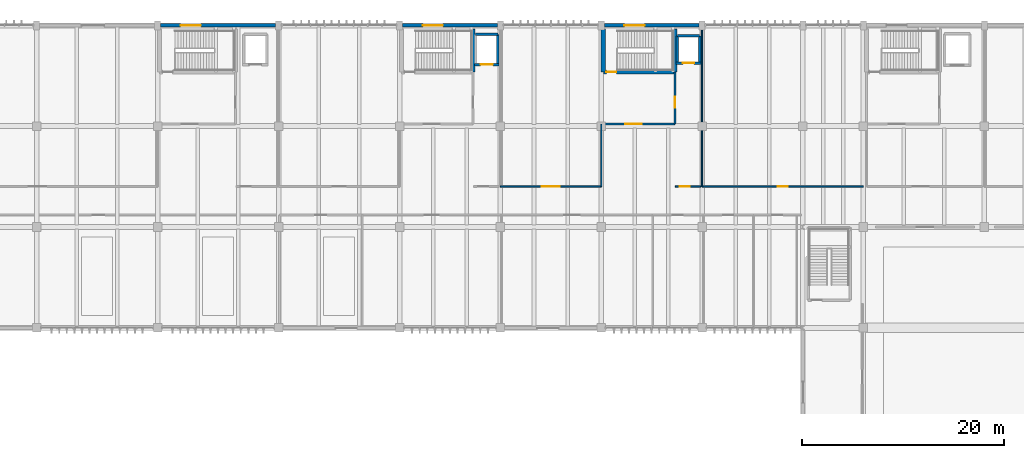
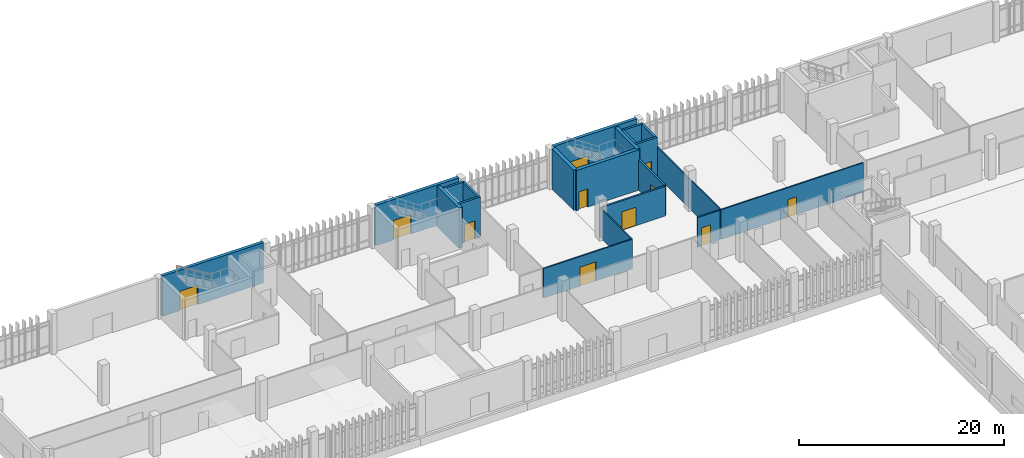
# One storey, part 75 of 87: 21 walls, 11 doors, 11 openings.
"""IFC4 building model written with IfcOpenShell, lengths in metres."""

from ifc_helpers import new_model, si_unit, direction, frame, frame_2d, origin, place, context, subcontext, project, spatial, rectangle, extrude, material, layer, layer_set, type_object, element, fill, save


model = new_model("IFC4")

# Units and contexts
model_context = context("Model", 3, precision=1e-05, world=origin(), true_north=direction((0.0, 1.0)))
body_context = subcontext(model_context, "Body", "Model", "MODEL_VIEW")
ifc_project = project(units=[si_unit("LENGTHUNIT", "METRE"), si_unit("AREAUNIT", "SQUARE_METRE"), si_unit("VOLUMEUNIT", "CUBIC_METRE"), si_unit("PLANEANGLEUNIT", "RADIAN"), si_unit("MASSUNIT", "GRAM", prefix="KILO")], contexts=[model_context])

# Site, building, storey
site_placement = place(None, origin())
site = spatial("IfcSite", under=ifc_project, at=site_placement, CompositionType="ELEMENT")
building_placement = place(site_placement, origin())
building = spatial("IfcBuilding", under=site, at=building_placement, Name="Mersad Railyard Sports Hall", CompositionType="ELEMENT")
storey_placement = place(building_placement, origin())
storey = spatial("IfcBuildingStorey", under=building, at=storey_placement, Name="L00", CompositionType="ELEMENT", Elevation=0.0)

# Wall, opening, door
ifc_material_1 = material(Name="Architectural concrete C50/60", Category="concrete")
ifc_layer_1 = layer(ifc_material_1, 0.35009765625)
ifc_layer_set_1 = layer_set([ifc_layer_1], Name="Architectural concrete C50/60")
wall_type_1 = type_object("IfcWallType", Name="ARC-WL-EW02", PredefinedType="SOLIDWALL", material=ifc_layer_set_1)
wall_1_placement = place(storey_placement, frame((67.300048828125, 115.0, 0.0), z_axis=(0.0, 0.0, 1.0), x_axis=(1.0, 0.0, 0.0)))
wall_1 = element("IfcWall", 1, at=wall_1_placement, inside=storey, type_object=wall_type_1, Name="External wall EW02-0098", PredefinedType="SOLIDWALL", context=body_context, shape_type="SweptSolid", body=[
    extrude(rectangle(XDim=11.39990234375, YDim=0.35009765625, at=frame_2d((5.699951171875, 0.0))), origin(), (0.0, 0.0, 1.0), 4.800048828125),
])
opening_1_placement = place(wall_1_placement, frame((2.0, 0.0, 0.0)))
opening_1 = element("IfcOpeningElement", 2, at=opening_1_placement, cuts=wall_1, Name="Opening ED03", PredefinedType="OPENING", context=body_context, shape_type="SweptSolid", body=[
    extrude(rectangle(XDim=2.0, YDim=2.300048828125, at=frame_2d((1.0, 1.14990234375))), frame((0.0, 0.18505859375, 0.0), z_axis=(0.0, -1.0, 0.0), x_axis=(1.0, 0.0, 0.0)), (0.0, 0.0, 1.0), 0.3701171875),
])
ifc_material_2 = material(Name="Steel S355", Category="steel")
door_type_1 = type_object("IfcDoorType", Name="ARC-DR-ED03", OperationType="NOTDEFINED", PredefinedType="DOOR", material=ifc_material_2)
door_1_placement = place(opening_1_placement, origin())
door_1 = element("IfcDoor", 3, at=door_1_placement, inside=storey, type_object=door_type_1, Name="Stair final exit door ED03-032", OperationType="DOUBLE_DOOR_SINGLE_SWING", OverallHeight=2.300048828125, OverallWidth=2.0, PredefinedType="DOOR", context=body_context, shape_type="SweptSolid", body=[
    extrude(rectangle(XDim=2.0, YDim=2.300048828125, at=frame_2d((1.0, 1.14990234375))), frame((0.0, 0.02490234375, 0.0), z_axis=(0.0, -1.0, 0.0), x_axis=(1.0, 0.0, 0.0)), (0.0, 0.0, 1.0), 0.050048828125),
])
fill(opening_1, door_1)

wall_2_placement = place(storey_placement, frame((91.300048828125, 115.0, 0.0), z_axis=(0.0, 0.0, 1.0), x_axis=(1.0, 0.0, 0.0)))
wall_2 = element("IfcWall", 4, at=wall_2_placement, inside=storey, type_object=wall_type_1, Name="External wall EW02-0099", PredefinedType="SOLIDWALL", context=body_context, shape_type="SweptSolid", body=[
    extrude(rectangle(XDim=9.39990234375, YDim=0.35009765625, at=frame_2d((4.699951171875, 0.0))), origin(), (0.0, 0.0, 1.0), 4.800048828125),
])
opening_2_placement = place(wall_2_placement, frame((2.0, 0.0, 0.0)))
opening_2 = element("IfcOpeningElement", 5, at=opening_2_placement, cuts=wall_2, Name="Opening ED03", PredefinedType="OPENING", context=body_context, shape_type="SweptSolid", body=[
    extrude(rectangle(XDim=2.0, YDim=2.300048828125, at=frame_2d((1.0, 1.14990234375))), frame((0.0, 0.18505859375, 0.0), z_axis=(0.0, -1.0, 0.0), x_axis=(1.0, 0.0, 0.0)), (0.0, 0.0, 1.0), 0.3701171875),
])
door_2_placement = place(opening_2_placement, origin())
door_2 = element("IfcDoor", 6, at=door_2_placement, inside=storey, type_object=door_type_1, Name="Stair final exit door ED03-033", OperationType="DOUBLE_DOOR_SINGLE_SWING", OverallHeight=2.300048828125, OverallWidth=2.0, PredefinedType="DOOR", context=body_context, shape_type="SweptSolid", body=[
    extrude(rectangle(XDim=2.0, YDim=2.300048828125, at=frame_2d((1.0, 1.14990234375))), frame((0.0, 0.02490234375, 0.0), z_axis=(0.0, -1.0, 0.0), x_axis=(1.0, 0.0, 0.0)), (0.0, 0.0, 1.0), 0.050048828125),
])
fill(opening_2, door_2)

wall_3_placement = place(storey_placement, frame((111.300048828125, 115.0, 0.0), z_axis=(0.0, 0.0, 1.0), x_axis=(1.0, 0.0, 0.0)))
wall_3 = element("IfcWall", 7, at=wall_3_placement, inside=storey, type_object=wall_type_1, Name="External wall EW02-0100", PredefinedType="SOLIDWALL", context=body_context, shape_type="SweptSolid", body=[
    extrude(rectangle(XDim=9.39990234375, YDim=0.35009765625, at=frame_2d((4.699951171875, 0.0))), origin(), (0.0, 0.0, 1.0), 4.800048828125),
])
opening_3_placement = place(wall_3_placement, frame((2.0, 0.0, 0.0)))
opening_3 = element("IfcOpeningElement", 8, at=opening_3_placement, cuts=wall_3, Name="Opening ED03", PredefinedType="OPENING", context=body_context, shape_type="SweptSolid", body=[
    extrude(rectangle(XDim=2.0, YDim=2.300048828125, at=frame_2d((1.0, 1.14990234375))), frame((0.0, 0.18505859375, 0.0), z_axis=(0.0, -1.0, 0.0), x_axis=(1.0, 0.0, 0.0)), (0.0, 0.0, 1.0), 0.3701171875),
])
door_3_placement = place(opening_3_placement, origin())
door_3 = element("IfcDoor", 9, at=door_3_placement, inside=storey, type_object=door_type_1, Name="Stair final exit door ED03-034", OperationType="DOUBLE_DOOR_SINGLE_SWING", OverallHeight=2.300048828125, OverallWidth=2.0, PredefinedType="DOOR", context=body_context, shape_type="SweptSolid", body=[
    extrude(rectangle(XDim=2.0, YDim=2.300048828125, at=frame_2d((1.0, 1.14990234375))), frame((0.0, 0.02490234375, 0.0), z_axis=(0.0, -1.0, 0.0), x_axis=(1.0, 0.0, 0.0)), (0.0, 0.0, 1.0), 0.050048828125),
])
fill(opening_3, door_3)

ifc_material_3 = material(Name="Precast concrete C45/55", Category="concrete")
ifc_layer_2 = layer(ifc_material_3, 0.199951171875)
ifc_layer_set_2 = layer_set([ifc_layer_2], Name="Precast concrete C45/55")
wall_type_2 = type_object("IfcWallType", Name="ARC-WL-PT01", PredefinedType="PARTITIONING", material=ifc_layer_set_2)
wall_4_placement = place(storey_placement, frame((111.199951171875, 105.199951171875, 0.0), z_axis=(0.0, 0.0, 1.0), x_axis=(1.0, 0.0, 0.0)))
wall_4 = element("IfcWall", 10, at=wall_4_placement, inside=storey, type_object=wall_type_2, Name="Interior wall PT01-0244", PredefinedType="PARTITIONING", context=body_context, shape_type="SweptSolid", body=[
    extrude(rectangle(XDim=7.10009765625, YDim=0.199951171875, at=frame_2d((3.550048828125, 0.0))), origin(), (0.0, 0.0, 1.0), 3.52490234375),
])
opening_4_placement = place(wall_4_placement, frame((2.199951171875, 0.0, 0.0)))
opening_4 = element("IfcOpeningElement", 11, at=opening_4_placement, cuts=wall_4, Name="Opening FD04", PredefinedType="OPENING", context=body_context, shape_type="SweptSolid", body=[
    extrude(rectangle(XDim=1.60009765625, YDim=2.199951171875, at=frame_2d((0.800048828125, 1.10009765625))), frame((0.0, 0.10986328125, 0.0), z_axis=(0.0, -1.0, 0.0), x_axis=(1.0, 0.0, 0.0)), (0.0, 0.0, 1.0), 0.219970703125),
])
door_type_2 = type_object("IfcDoorType", Name="ARC-DR-FD04", OperationType="NOTDEFINED", PredefinedType="DOOR", material=ifc_material_2)
door_4_placement = place(opening_4_placement, origin())
door_4 = element("IfcDoor", 12, at=door_4_placement, inside=storey, type_object=door_type_2, Name="C3 firefighting lobby door FD04-0102", OperationType="DOUBLE_DOOR_SINGLE_SWING", OverallHeight=2.199951171875, OverallWidth=1.60009765625, PredefinedType="DOOR", context=body_context, shape_type="SweptSolid", body=[
    extrude(rectangle(XDim=1.60009765625, YDim=2.199951171875, at=frame_2d((0.800048828125, 1.10009765625))), frame((0.0, 0.02490234375, 0.0), z_axis=(0.0, -1.0, 0.0), x_axis=(1.0, 0.0, 0.0)), (0.0, 0.0, 1.0), 0.050048828125),
])
fill(opening_4, door_4)

wall_5_placement = place(storey_placement, frame((118.300048828125, 105.199951171875, 0.0), z_axis=(0.0, 0.0, 1.0), x_axis=(0.0, 1.0, 0.0)))
wall_5 = element("IfcWall", 13, at=wall_5_placement, inside=storey, type_object=wall_type_2, Name="Interior wall PT01-0245", PredefinedType="PARTITIONING", context=body_context, shape_type="SweptSolid", body=[
    extrude(rectangle(XDim=5.179931640625, YDim=0.199951171875, at=frame_2d((2.58984375, 0.0))), origin(), (0.0, 0.0, 1.0), 3.625),
])
opening_5_placement = place(wall_5_placement, frame((1.60009765625, 0.0, 0.0)))
opening_5 = element("IfcOpeningElement", 14, at=opening_5_placement, cuts=wall_5, Name="Opening FD01", PredefinedType="OPENING", context=body_context, shape_type="SweptSolid", body=[
    extrude(rectangle(XDim=1.10009765625, YDim=2.14990234375, at=frame_2d((0.550048828125, 1.074951171875))), frame((0.0, 0.10986328125, 0.0), z_axis=(0.0, -1.0, 0.0), x_axis=(1.0, 0.0, 0.0)), (0.0, 0.0, 1.0), 0.219970703125),
])
door_type_3 = type_object("IfcDoorType", Name="ARC-DR-FD01", OperationType="NOTDEFINED", PredefinedType="DOOR", material=ifc_material_2)
door_5_placement = place(opening_5_placement, origin())
door_5 = element("IfcDoor", 15, at=door_5_placement, inside=storey, type_object=door_type_3, Name="C3 lift-to-firefighting lobby door FD01-0103", OperationType="SINGLE_SWING_LEFT", OverallHeight=2.14990234375, OverallWidth=1.10009765625, PredefinedType="DOOR", context=body_context, shape_type="SweptSolid", body=[
    extrude(rectangle(XDim=1.10009765625, YDim=2.14990234375, at=frame_2d((0.550048828125, 1.074951171875))), frame((0.0, 0.02490234375, 0.0), z_axis=(0.0, -1.0, 0.0), x_axis=(1.0, 0.0, 0.0)), (0.0, 0.0, 1.0), 0.050048828125),
])
fill(opening_5, door_5)

ifc_material_4 = material(Name="Gypsum plasterboard", Category="gypsum")
ifc_layer_3 = layer(ifc_material_4, 0.159912109375)
ifc_layer_set_3 = layer_set([ifc_layer_3], Name="Gypsum plasterboard")
wall_type_3 = type_object("IfcWallType", Name="ARC-WL-PT02", PredefinedType="PARTITIONING", material=ifc_layer_set_3)
wall_6_placement = place(storey_placement, frame((118.35009765625, 99.0, 0.0), z_axis=(0.0, 0.0, 1.0), x_axis=(1.0, 0.0, 0.0)))
wall_6 = element("IfcWall", 16, at=wall_6_placement, inside=storey, type_object=wall_type_3, Name="Interior wall PT02-0246", PredefinedType="PARTITIONING", context=body_context, shape_type="SweptSolid", body=[
    extrude(rectangle(XDim=2.5, YDim=0.159912109375, at=frame_2d((1.25, 0.0))), origin(), (0.0, 0.0, 1.0), 3.52490234375),
])
opening_6_placement = place(wall_6_placement, frame((0.449951171875, 0.0, 0.0)))
opening_6 = element("IfcOpeningElement", 17, at=opening_6_placement, cuts=wall_6, Name="Opening FD02", PredefinedType="OPENING", context=body_context, shape_type="SweptSolid", body=[
    extrude(rectangle(XDim=1.0, YDim=2.14990234375, at=frame_2d((0.5, 1.074951171875))), frame((0.0, 0.08984375, 0.0), z_axis=(0.0, -1.0, 0.0), x_axis=(1.0, 0.0, 0.0)), (0.0, 0.0, 1.0), 0.179931640625),
])
door_type_4 = type_object("IfcDoorType", Name="ARC-DR-FD02", OperationType="NOTDEFINED", PredefinedType="DOOR", material=ifc_material_2)
door_6_placement = place(opening_6_placement, origin())
door_6 = element("IfcDoor", 18, at=door_6_placement, inside=storey, type_object=door_type_4, Name="C3 lift lobby corridor door FD02-0104", OperationType="SINGLE_SWING_RIGHT", OverallHeight=2.14990234375, OverallWidth=1.0, PredefinedType="DOOR", context=body_context, shape_type="SweptSolid", body=[
    extrude(rectangle(XDim=1.0, YDim=2.14990234375, at=frame_2d((0.5, 1.074951171875))), frame((0.0, 0.02490234375, 0.0), z_axis=(0.0, -1.0, 0.0), x_axis=(1.0, 0.0, 0.0)), (0.0, 0.0, 1.0), 0.050048828125),
])
fill(opening_6, door_6)

ifc_layer_4 = layer(ifc_material_4, 0.139892578125)
ifc_layer_set_4 = layer_set([ifc_layer_4], Name="Gypsum plasterboard")
wall_type_4 = type_object("IfcWallType", Name="ARC-WL-PT03", PredefinedType="PARTITIONING", material=ifc_layer_set_4)
wall_7_placement = place(storey_placement, frame((101.0, 99.0, 0.0), z_axis=(0.0, 0.0, 1.0), x_axis=(1.0, 0.0, 0.0)))
wall_7 = element("IfcWall", 19, at=wall_7_placement, inside=storey, type_object=wall_type_4, Name="Interior wall PT03-0423", PredefinedType="PARTITIONING", context=body_context, shape_type="SweptSolid", body=[
    extrude(rectangle(XDim=10.0, YDim=0.139892578125, at=frame_2d((5.0, 0.0))), origin(), (0.0, 0.0, 1.0), 3.52490234375),
])
opening_7_placement = place(wall_7_placement, frame((4.10009765625, 0.0, 0.0)))
opening_7 = element("IfcOpeningElement", 20, at=opening_7_placement, cuts=wall_7, Name="Opening FD05", PredefinedType="OPENING", context=body_context, shape_type="SweptSolid", body=[
    extrude(rectangle(XDim=1.800048828125, YDim=2.25, at=frame_2d((0.89990234375, 1.125))), frame((0.0, 0.079833984375, 0.0), z_axis=(0.0, -1.0, 0.0), x_axis=(1.0, 0.0, 0.0)), (0.0, 0.0, 1.0), 0.159912109375),
])
door_type_5 = type_object("IfcDoorType", Name="ARC-DR-FD05", OperationType="NOTDEFINED", PredefinedType="DOOR", material=ifc_material_2)
door_7_placement = place(opening_7_placement, origin())
door_7 = element("IfcDoor", 21, at=door_7_placement, inside=storey, type_object=door_type_5, Name="L00 north room door FD05-0190", OperationType="DOUBLE_DOOR_SINGLE_SWING", OverallHeight=2.25, OverallWidth=1.800048828125, PredefinedType="DOOR", context=body_context, shape_type="SweptSolid", body=[
    extrude(rectangle(XDim=1.800048828125, YDim=2.25, at=frame_2d((0.89990234375, 1.125))), frame((0.0, 0.02490234375, 0.0), z_axis=(0.0, -1.0, 0.0), x_axis=(1.0, 0.0, 0.0)), (0.0, 0.0, 1.0), 0.050048828125),
])
fill(opening_7, door_7)

wall_8_placement = place(storey_placement, frame((121.0, 99.0, 0.0), z_axis=(0.0, 0.0, 1.0), x_axis=(1.0, 0.0, 0.0)))
wall_8 = element("IfcWall", 22, at=wall_8_placement, inside=storey, type_object=wall_type_4, Name="Interior wall PT03-0426", PredefinedType="PARTITIONING", context=body_context, shape_type="SweptSolid", body=[
    extrude(rectangle(XDim=16.0, YDim=0.139892578125, at=frame_2d((8.0, 0.0))), origin(), (0.0, 0.0, 1.0), 3.52490234375),
])
opening_8_placement = place(wall_8_placement, frame((7.510009765625, 0.0, 0.0)))
opening_8 = element("IfcOpeningElement", 23, at=opening_8_placement, cuts=wall_8, Name="Opening FD06", PredefinedType="OPENING", context=body_context, shape_type="SweptSolid", body=[
    extrude(rectangle(XDim=0.97998046875, YDim=2.10009765625, at=frame_2d((0.489990234375, 1.050048828125))), frame((0.0, 0.079833984375, 0.0), z_axis=(0.0, -1.0, 0.0), x_axis=(1.0, 0.0, 0.0)), (0.0, 0.0, 1.0), 0.159912109375),
])
door_type_6 = type_object("IfcDoorType", Name="ARC-DR-FD06", OperationType="NOTDEFINED", PredefinedType="DOOR", material=ifc_material_2)
door_8_placement = place(opening_8_placement, origin())
door_8 = element("IfcDoor", 24, at=door_8_placement, inside=storey, type_object=door_type_6, Name="L00 north room door FD06-0191", OperationType="SINGLE_SWING_LEFT", OverallHeight=2.10009765625, OverallWidth=0.97998046875, PredefinedType="DOOR", context=body_context, shape_type="SweptSolid", body=[
    extrude(rectangle(XDim=0.97998046875, YDim=2.10009765625, at=frame_2d((0.489990234375, 1.050048828125))), frame((0.0, 0.02490234375, 0.0), z_axis=(0.0, -1.0, 0.0), x_axis=(1.0, 0.0, 0.0)), (0.0, 0.0, 1.0), 0.050048828125),
])
fill(opening_8, door_8)

# Walls
ifc_layer_5 = layer(ifc_material_4, 0.1201171875)
ifc_layer_set_5 = layer_set([ifc_layer_5], Name="Gypsum plasterboard")
wall_type_5 = type_object("IfcWallType", Name="ARC-WL-PT04", PredefinedType="PARTITIONING", material=ifc_layer_set_5)
wall_9_placement = place(storey_placement, frame((111.0, 99.0, 0.0), z_axis=(0.0, 0.0, 1.0), x_axis=(0.0, 1.0, 0.0)))
element("IfcWall", 25, at=wall_9_placement, inside=storey, type_object=wall_type_5, Name="Interior wall PT04-0425", PredefinedType="PARTITIONING", context=body_context, shape_type="SweptSolid", body=[
    extrude(rectangle(XDim=6.199951171875, YDim=0.1201171875, at=frame_2d((3.10009765625, 0.0))), origin(), (0.0, 0.0, 1.0), 3.52490234375),
])
wall_10_placement = place(storey_placement, frame((121.0, 99.0, 0.0), z_axis=(0.0, 0.0, 1.0), x_axis=(0.0, 1.0, 0.0)))
element("IfcWall", 26, at=wall_10_placement, inside=storey, type_object=wall_type_5, Name="Interior wall PT04-0427", PredefinedType="PARTITIONING", context=body_context, shape_type="SweptSolid", body=[
    extrude(rectangle(XDim=15.75, YDim=0.1201171875, at=frame_2d((7.875, 0.0))), origin(), (0.0, 0.0, 1.0), 3.52490234375),
])
ifc_material_5 = material(Name="Concrete C50/60", Category="concrete")
ifc_layer_6 = layer(ifc_material_5, 0.39990234375)
ifc_layer_set_6 = layer_set([ifc_layer_6], Name="Concrete C50/60")
wall_type_6 = type_object("IfcWallType", Name="STR-WL-SW01", PredefinedType="SHEAR", material=ifc_layer_set_6)
wall_11_placement = place(storey_placement, frame((98.300048828125, 110.3798828125, 0.0), z_axis=(0.0, 0.0, 1.0), x_axis=(0.0, 1.0, 0.0)))
element("IfcWall", 27, at=wall_11_placement, inside=storey, type_object=wall_type_6, Name="Interior wall SW01-0200", PredefinedType="SHEAR", context=body_context, shape_type="SweptSolid", body=[
    extrude(rectangle(XDim=4.240234375, YDim=0.39990234375, at=frame_2d((2.1201171875, 0.0))), origin(), (0.0, 0.0, 1.0), 4.800048828125),
])

# Wall, opening, door
wall_12_placement = place(storey_placement, frame((111.199951171875, 110.3798828125, 0.0), z_axis=(0.0, 0.0, 1.0), x_axis=(1.0, 0.0, 0.0)))
wall_12 = element("IfcWall", 28, at=wall_12_placement, inside=storey, type_object=wall_type_6, Name="Interior wall SW01-0241", PredefinedType="SHEAR", context=body_context, shape_type="SweptSolid", body=[
    extrude(rectangle(XDim=7.10009765625, YDim=0.39990234375, at=frame_2d((3.550048828125, 0.0))), origin(), (0.0, 0.0, 1.0), 4.800048828125),
])
opening_9_placement = place(wall_12_placement, frame((0.300048828125, 0.0, 0.0)))
opening_9 = element("IfcOpeningElement", 29, at=opening_9_placement, cuts=wall_12, Name="Opening FD02", PredefinedType="OPENING", context=body_context, shape_type="SweptSolid", body=[
    extrude(rectangle(XDim=1.0, YDim=2.14990234375, at=frame_2d((0.5, 1.074951171875))), frame((0.0, 0.2099609375, 0.0), z_axis=(0.0, -1.0, 0.0), x_axis=(1.0, 0.0, 0.0)), (0.0, 0.0, 1.0), 0.419921875),
])
door_9_placement = place(opening_9_placement, origin())
door_9 = element("IfcDoor", 30, at=door_9_placement, inside=storey, type_object=door_type_4, Name="C3 stair entrance door FD02-0101", OperationType="SINGLE_SWING_RIGHT", OverallHeight=2.14990234375, OverallWidth=1.0, PredefinedType="DOOR", context=body_context, shape_type="SweptSolid", body=[
    extrude(rectangle(XDim=1.0, YDim=2.14990234375, at=frame_2d((0.5, 1.074951171875))), frame((0.0, 0.02490234375, 0.0), z_axis=(0.0, -1.0, 0.0), x_axis=(1.0, 0.0, 0.0)), (0.0, 0.0, 1.0), 0.050048828125),
])
fill(opening_9, door_9)

# Walls
for number, where, z_axis, x_axis, name in (
    (31, (118.300048828125, 110.3798828125, 0.0), (0.0, 0.0, 1.0), (0.0, 1.0, 0.0), "Interior wall SW01-0242"),
    (32, (111.199951171875, 114.6201171875, 0.0), (0.0, 0.0, 1.0), (0.0, -1.0, 0.0), "Interior wall SW01-0243"),
):
    element("IfcWall", number, at=place(storey_placement, frame(where, z_axis=z_axis, x_axis=x_axis)), inside=storey, type_object=wall_type_6, Name=name, PredefinedType="SHEAR", context=body_context, shape_type="SweptSolid", body=[
        extrude(rectangle(XDim=4.240234375, YDim=0.39990234375, at=frame_2d((2.1201171875, 0.0))), origin(), (0.0, 0.0, 1.0), 4.800048828125),
    ])
ifc_material_6 = material(Name="Concrete C40/50", Category="concrete")
ifc_layer_7 = layer(ifc_material_6, 0.239990234375)
ifc_layer_set_7 = layer_set([ifc_layer_7], Name="Concrete C40/50")
wall_type_7 = type_object("IfcWallType", Name="STR-WL-SW03", PredefinedType="SHEAR", material=ifc_layer_set_7)
wall_13_placement = place(storey_placement, frame((100.75, 114.10009765625, 0.0), z_axis=(0.0, 0.0, 1.0), x_axis=(0.0, -1.0, 0.0)))
element("IfcWall", 33, at=wall_13_placement, inside=storey, type_object=wall_type_7, Name="Interior wall SW03-0032", PredefinedType="SHEAR", context=body_context, shape_type="SweptSolid", body=[
    extrude(rectangle(XDim=3.0, YDim=0.239990234375, at=frame_2d((1.5, 0.0))), origin(), (0.0, 0.0, 1.0), 4.800048828125),
])
wall_14_placement = place(storey_placement, frame((98.550048828125, 114.10009765625, 0.0), z_axis=(0.0, 0.0, 1.0), x_axis=(1.0, 0.0, 0.0)))
element("IfcWall", 34, at=wall_14_placement, inside=storey, type_object=wall_type_7, Name="Interior wall SW03-0033", PredefinedType="SHEAR", context=body_context, shape_type="SweptSolid", body=[
    extrude(rectangle(XDim=2.199951171875, YDim=0.239990234375, at=frame_2d((1.10009765625, 0.0))), origin(), (0.0, 0.0, 1.0), 4.800048828125),
])

# Wall, opening, door
wall_15_placement = place(storey_placement, frame((100.8701171875, 111.10009765625, 0.0), z_axis=(0.0, 0.0, 1.0), x_axis=(-1.0, 0.0, 0.0)))
wall_15 = element("IfcWall", 35, at=wall_15_placement, inside=storey, type_object=wall_type_7, Name="Interior wall SW03-0034", PredefinedType="SHEAR", context=body_context, shape_type="SweptSolid", body=[
    extrude(rectangle(XDim=2.440185546875, YDim=0.239990234375, at=frame_2d((1.22021484375, 0.0))), origin(), (0.0, 0.0, 1.0), 4.800048828125),
])
opening_10_placement = place(wall_15_placement, frame((0.6201171875, 0.0, 0.0)))
opening_10 = element("IfcOpeningElement", 36, at=opening_10_placement, cuts=wall_15, Name="Opening LD02", PredefinedType="OPENING", context=body_context, shape_type="SweptSolid", body=[
    extrude(rectangle(XDim=1.199951171875, YDim=2.14990234375, at=frame_2d((0.60009765625, 1.074951171875))), frame((0.0, 0.1298828125, 0.0), z_axis=(0.0, -1.0, 0.0), x_axis=(1.0, 0.0, 0.0)), (0.0, 0.0, 1.0), 0.260009765625),
])
door_type_7 = type_object("IfcDoorType", Name="ARC-DR-LD02", OperationType="NOTDEFINED", PredefinedType="USERDEFINED", material=ifc_material_2)
door_10_placement = place(opening_10_placement, origin())
door_10 = element("IfcDoor", 37, at=door_10_placement, inside=storey, type_object=door_type_7, Name="Lift FFL-02 landing door LD02-0009", ObjectType="LANDING DOOR", OperationType="DOUBLE_DOOR_SLIDING", OverallHeight=2.14990234375, OverallWidth=1.199951171875, PredefinedType="USERDEFINED", context=body_context, shape_type="SweptSolid", body=[
    extrude(rectangle(XDim=1.199951171875, YDim=2.14990234375, at=frame_2d((0.60009765625, 1.074951171875))), frame((0.0, 0.02490234375, 0.0), z_axis=(0.0, -1.0, 0.0), x_axis=(1.0, 0.0, 0.0)), (0.0, 0.0, 1.0), 0.050048828125),
])
fill(opening_10, door_10)

# Walls
for number, where, z_axis, x_axis, name in (
    (38, (118.550048828125, 111.25, 0.0), (0.0, 0.0, 1.0), (0.0, 1.0, 0.0), "Interior wall SW03-0058"),
    (39, (120.75, 113.949951171875, 0.0), (0.0, 0.0, 1.0), (0.0, -1.0, 0.0), "Interior wall SW03-0059"),
):
    element("IfcWall", number, at=place(storey_placement, frame(where, z_axis=z_axis, x_axis=x_axis)), inside=storey, type_object=wall_type_7, Name=name, PredefinedType="SHEAR", context=body_context, shape_type="SweptSolid", body=[
        extrude(rectangle(XDim=2.699951171875, YDim=0.239990234375, at=frame_2d((1.35009765625, 0.0))), origin(), (0.0, 0.0, 1.0), 4.800048828125),
    ])
wall_16_placement = place(storey_placement, frame((118.550048828125, 113.949951171875, 0.0), z_axis=(0.0, 0.0, 1.0), x_axis=(1.0, 0.0, 0.0)))
element("IfcWall", 40, at=wall_16_placement, inside=storey, type_object=wall_type_7, Name="Interior wall SW03-0060", PredefinedType="SHEAR", context=body_context, shape_type="SweptSolid", body=[
    extrude(rectangle(XDim=2.199951171875, YDim=0.239990234375, at=frame_2d((1.10009765625, 0.0))), origin(), (0.0, 0.0, 1.0), 4.800048828125),
])

# Wall, opening, door
wall_17_placement = place(storey_placement, frame((120.8701171875, 111.25, 0.0), z_axis=(0.0, 0.0, 1.0), x_axis=(-1.0, 0.0, 0.0)))
wall_17 = element("IfcWall", 41, at=wall_17_placement, inside=storey, type_object=wall_type_7, Name="Interior wall SW03-0061", PredefinedType="SHEAR", context=body_context, shape_type="SweptSolid", body=[
    extrude(rectangle(XDim=2.440185546875, YDim=0.239990234375, at=frame_2d((1.22021484375, 0.0))), origin(), (0.0, 0.0, 1.0), 4.800048828125),
])
opening_11_placement = place(wall_17_placement, frame((0.669921875, 0.0, 0.0)))
opening_11 = element("IfcOpeningElement", 42, at=opening_11_placement, cuts=wall_17, Name="Opening LD01", PredefinedType="OPENING", context=body_context, shape_type="SweptSolid", body=[
    extrude(rectangle(XDim=1.10009765625, YDim=2.14990234375, at=frame_2d((0.550048828125, 1.074951171875))), frame((0.0, 0.1298828125, 0.0), z_axis=(0.0, -1.0, 0.0), x_axis=(1.0, 0.0, 0.0)), (0.0, 0.0, 1.0), 0.260009765625),
])
door_type_8 = type_object("IfcDoorType", Name="ARC-DR-LD01", OperationType="NOTDEFINED", PredefinedType="USERDEFINED", material=ifc_material_2)
door_11_placement = place(opening_11_placement, origin())
door_11 = element("IfcDoor", 43, at=door_11_placement, inside=storey, type_object=door_type_8, Name="Lift PL-03 landing door LD01-0016", ObjectType="LANDING DOOR", OperationType="DOUBLE_DOOR_SLIDING", OverallHeight=2.14990234375, OverallWidth=1.10009765625, PredefinedType="USERDEFINED", context=body_context, shape_type="SweptSolid", body=[
    extrude(rectangle(XDim=1.10009765625, YDim=2.14990234375, at=frame_2d((0.550048828125, 1.074951171875))), frame((0.0, 0.02490234375, 0.0), z_axis=(0.0, -1.0, 0.0), x_axis=(1.0, 0.0, 0.0)), (0.0, 0.0, 1.0), 0.050048828125),
])
fill(opening_11, door_11)

save(model, "model.ifc")
